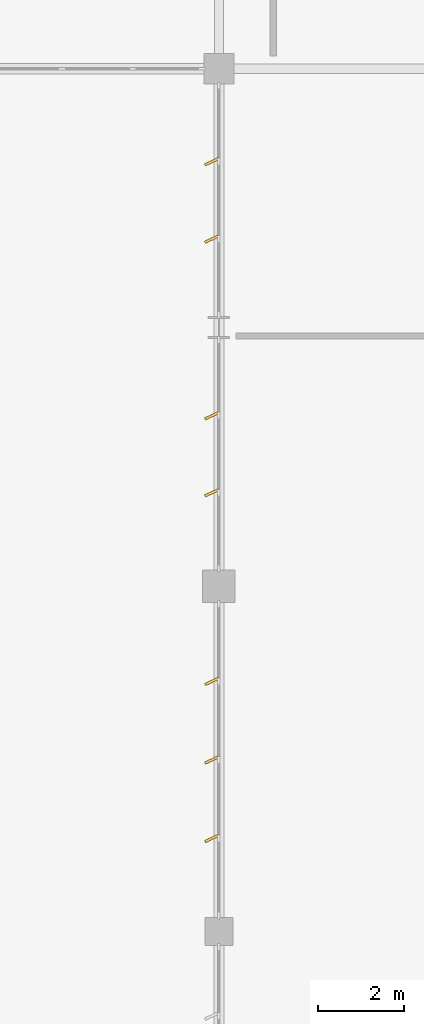
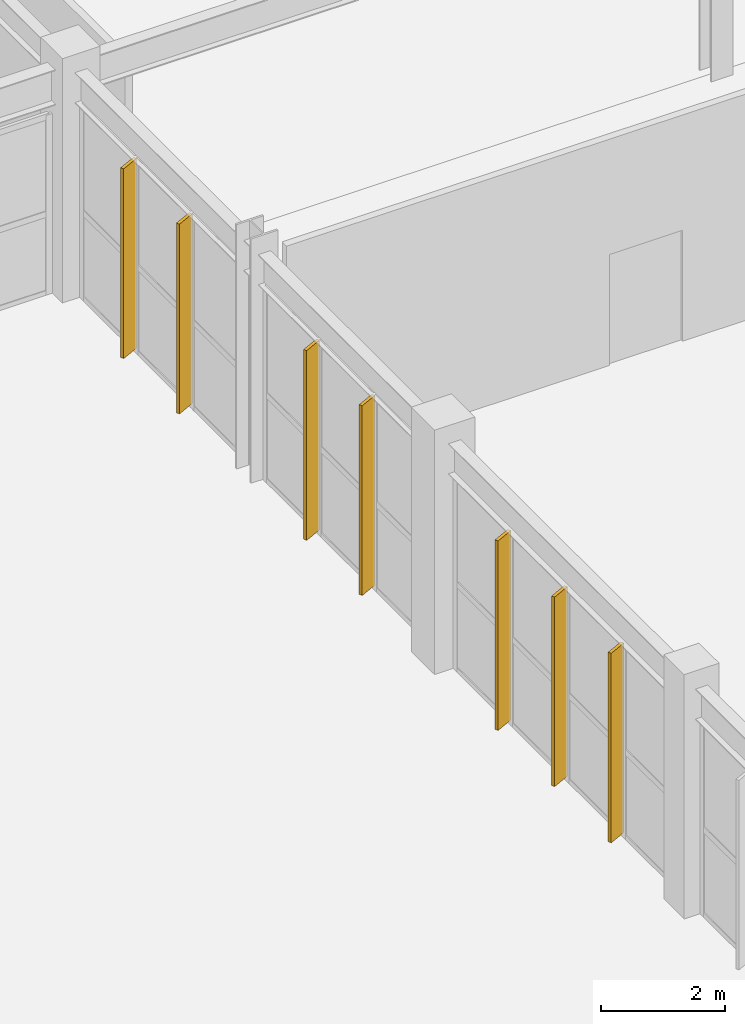
# One storey, part 184 of 199: 7 shading devices.
"""IFC4 building model written with IfcOpenShell, lengths in metres."""

from ifc_helpers import new_model, si_unit, direction, frame, origin, origin_2d, place, context, subcontext, project, spatial, rectangle, extrude, material, layer, layer_set, type_object, element, save


model = new_model("IFC4")

# Units and contexts
model_context = context("Model", 3, precision=1e-05, world=origin(), true_north=direction((0.0, 1.0)))
body_context = subcontext(model_context, "Body", "Model", "MODEL_VIEW")
ifc_project = project(units=[si_unit("LENGTHUNIT", "METRE"), si_unit("AREAUNIT", "SQUARE_METRE"), si_unit("VOLUMEUNIT", "CUBIC_METRE"), si_unit("PLANEANGLEUNIT", "RADIAN"), si_unit("MASSUNIT", "GRAM", prefix="KILO")], contexts=[model_context])

# Site, building, storey
site_placement = place(None, origin())
site = spatial("IfcSite", under=ifc_project, at=site_placement, CompositionType="ELEMENT")
building_placement = place(site_placement, origin())
building = spatial("IfcBuilding", under=site, at=building_placement, Name="Tarnwether General Hospital", CompositionType="ELEMENT")
storey_placement = place(building_placement, origin())
storey = spatial("IfcBuildingStorey", under=building, at=storey_placement, Name="L00", CompositionType="ELEMENT", Elevation=0.0)

# Shading devices
ifc_material = material(Name="Champagne-bronze anodised aluminium", Category="aluminium")
ifc_layer = layer(ifc_material, 0.06005859375)
ifc_layer_set = layer_set([ifc_layer], Name="Champagne-bronze anodised aluminium")
shading_device_type = type_object("IfcShadingDeviceType", Name="SH-FIN-BRZ", PredefinedType="USERDEFINED", material=ifc_layer_set)
for number, where, z_axis, x_axis, name in (
    (1, (107.840087890625, 63.75390625, 0.05029296875), (0.0, 0.0, 1.0), (-0.422618261741, 0.906307787037, 0.0), "Champagne-Bronze Brise-Soleil Fin 0128"),
    (2, (107.840087890625, 65.574951171875, 0.05029296875), (0.0, 0.0, 1.0), (-0.422618261741, 0.906307787037, 0.0), "Champagne-Bronze Brise-Soleil Fin 0129"),
    (3, (107.840087890625, 67.39599609375, 0.05029296875), (0.0, 0.0, 1.0), (-0.422618261741, 0.906307787037, 0.0), "Champagne-Bronze Brise-Soleil Fin 0130"),
):
    element("IfcShadingDevice", number, at=place(storey_placement, frame(where, z_axis=z_axis, x_axis=x_axis)), inside=storey, type_object=shading_device_type, Name=name, ObjectType="SOLAR FIN", PredefinedType="USERDEFINED", context=body_context, shape_type="SweptSolid", body=[
        extrude(rectangle(XDim=0.06005859375, YDim=0.360107421875, at=origin_2d()), origin(), (0.0, 0.0, 1.0), 3.722900390625),
    ])
for number, where, z_axis, x_axis, name in (
    (4, (107.840087890625, 71.76904296875, 0.050048828125), (0.0, 0.0, 1.0), (-0.422618261741, 0.906307787037, 0.0), "Champagne-Bronze Brise-Soleil Fin 0131"),
    (5, (107.840087890625, 73.555908203125, 0.050048828125), (0.0, 0.0, 1.0), (-0.422618261741, 0.906307787037, 0.0), "Champagne-Bronze Brise-Soleil Fin 0132"),
    (6, (107.840087890625, 77.653076171875, 0.050048828125), (0.0, 0.0, 1.0), (-0.422618261741, 0.906307787037, 0.0), "Champagne-Bronze Brise-Soleil Fin 0133"),
    (7, (107.840087890625, 79.447021484375, 0.050048828125), (0.0, 0.0, 1.0), (-0.422618261741, 0.906307787037, 0.0), "Champagne-Bronze Brise-Soleil Fin 0134"),
):
    element("IfcShadingDevice", number, at=place(storey_placement, frame(where, z_axis=z_axis, x_axis=x_axis)), inside=storey, type_object=shading_device_type, Name=name, ObjectType="SOLAR FIN", PredefinedType="USERDEFINED", context=body_context, shape_type="SweptSolid", body=[
        extrude(rectangle(XDim=0.06005859375, YDim=0.360107421875, at=origin_2d()), origin(), (0.0, 0.0, 1.0), 3.72802734375),
    ])

save(model, "model.ifc")
